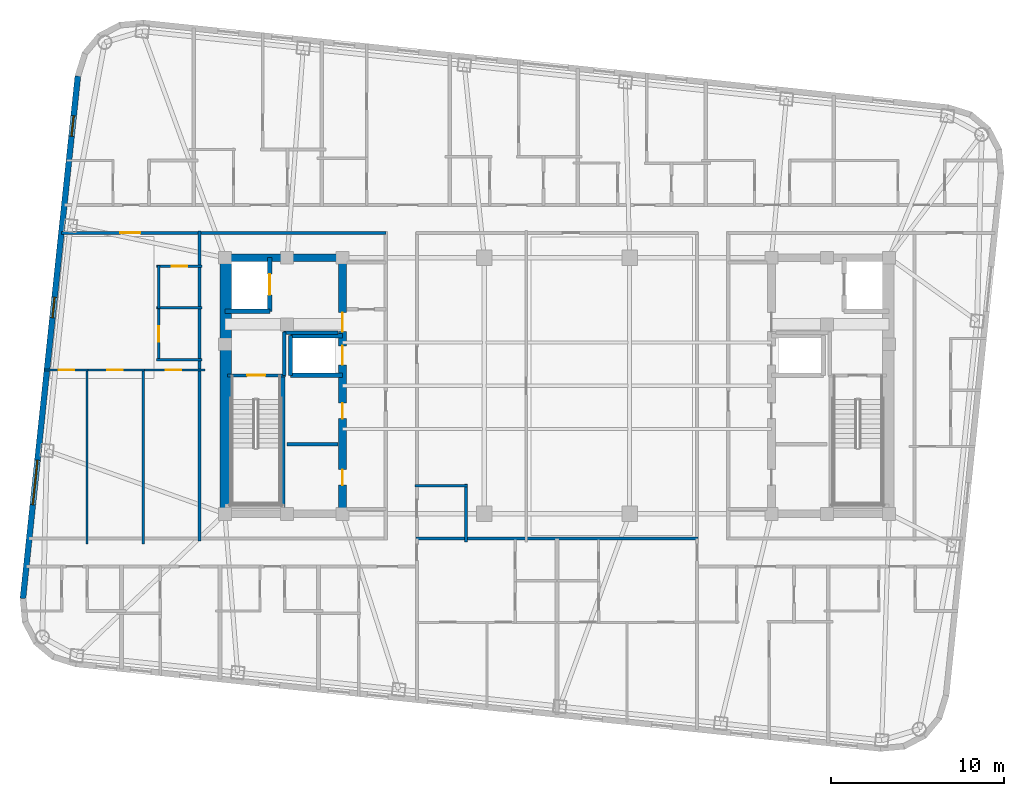
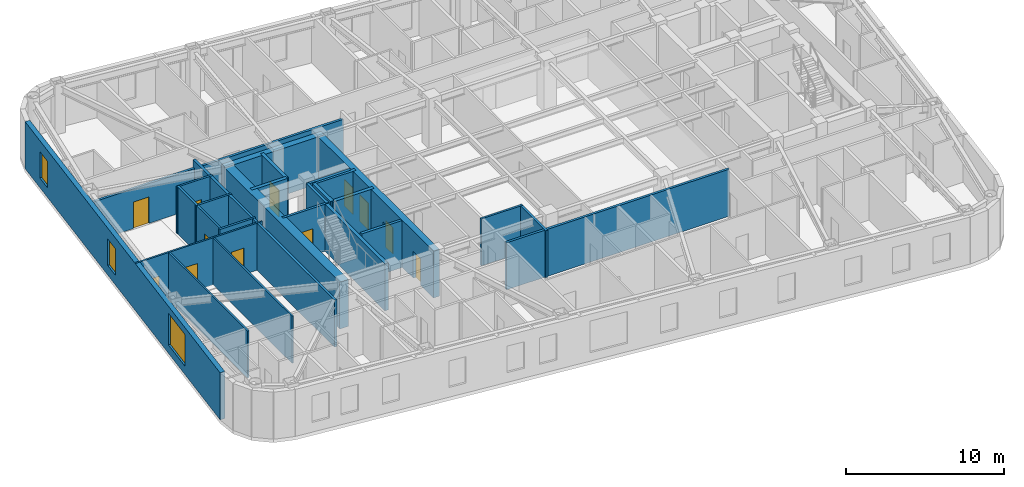
# One storey, part 4 of 11: 29 walls, 12 doors, 3 windows, 15 openings.
"""IFC4 building model written with IfcOpenShell, lengths in metres."""

import ifcopenshell
import ifcopenshell.guid

model = None  # the IFC model being written
_history = None  # IfcOwnerHistory: only IFC2X3 demands one
_inside = {}  # id of a spatial element -> (the spatial element, [elements in it])
_under = {}  # id of a project, library or spatial element -> (it, [spatial elements below it])
_declared = {}  # id of a project -> (the project, [libraries it declares])
_typed = {}  # id of a type object -> (the type object, [elements of that type])
_made_of = {}  # id of a material, layer set ... -> (it, [elements and type objects made of it])


def new_model(schema):
    """Start an empty IFC model of exactly this schema.

    Asked for "IFC4X3", IfcOpenShell would pick the latest addendum, in which some entities
    have other attributes; the version numbers below select the first issue.
    IFC2X3 requires an IfcOwnerHistory on every rooted entity: one is made here for all.
    """
    global model, _history
    if schema == "IFC4X3":
        model = ifcopenshell.file(schema_version=(4, 3, 0, 0))
    else:
        model = ifcopenshell.file(schema=schema)
    _inside.clear()
    _under.clear()
    _declared.clear()
    _typed.clear()
    _made_of.clear()
    _history = None
    if model.schema == "IFC2X3":
        org = make("IfcOrganization", Name="unknown")
        user = make(
            "IfcPersonAndOrganization",
            ThePerson=make("IfcPerson", FamilyName="unknown"),
            TheOrganization=org,
        )
        app = make(
            "IfcApplication",
            ApplicationDeveloper=org,
            Version="unknown",
            ApplicationFullName="unknown",
            ApplicationIdentifier="unknown",
        )
        _history = make(
            "IfcOwnerHistory",
            OwningUser=user,
            OwningApplication=app,
            ChangeAction="ADDED",
            CreationDate=0,
        )
    return model


def make(cls, **values):
    """One entity of the class cls with the attributes given. An attribute that is None is left unset."""
    return model.create_entity(
        cls, **{name: value for name, value in values.items() if value is not None}
    )


def rooted(cls, **values):
    """An entity with a GlobalId (a new one), such as an element, a storey or a relation."""
    return make(cls, GlobalId=ifcopenshell.guid.new(), OwnerHistory=_history, **values)


def si_unit(unit_type, name, prefix=None):
    """IfcSIUnit, for example si_unit("LENGTHUNIT", "METRE", prefix="MILLI")."""
    return make("IfcSIUnit", UnitType=unit_type, Prefix=prefix, Name=name)


def assignment(units):
    """IfcUnitAssignment: the units of a project."""
    return None if units is None else make("IfcUnitAssignment", Units=units)


def point(xyz):
    """IfcCartesianPoint."""
    return None if xyz is None else make("IfcCartesianPoint", Coordinates=xyz)


def direction(xyz):
    """IfcDirection."""
    return None if xyz is None else make("IfcDirection", DirectionRatios=xyz)


def frame(location, z_axis=None, x_axis=None):
    """IfcAxis2Placement3D, a coordinate frame: its origin and axes. An axis left out is left unset."""
    return make(
        "IfcAxis2Placement3D",
        Location=point(location),
        Axis=direction(z_axis),
        RefDirection=direction(x_axis),
    )


def frame_2d(location, x_axis=None):
    """IfcAxis2Placement2D, a coordinate frame in the plane: its origin and x axis."""
    return make(
        "IfcAxis2Placement2D", Location=point(location), RefDirection=direction(x_axis)
    )


def origin():
    """The frame at (0, 0, 0) with its axes left unset."""
    return frame((0.0, 0.0, 0.0))


def place(relative_to, where):
    """IfcLocalPlacement: puts the frame where relative to a parent placement (None: the world)."""
    return make(
        "IfcLocalPlacement", PlacementRelTo=relative_to, RelativePlacement=where
    )


def context(
    kind, dimensions, precision=None, world=None, true_north=None, identifier=None
):
    """IfcGeometricRepresentationContext, for example the 3D "Model" context."""
    return make(
        "IfcGeometricRepresentationContext",
        ContextIdentifier=identifier,
        ContextType=kind,
        CoordinateSpaceDimension=dimensions,
        Precision=precision,
        WorldCoordinateSystem=world,
        TrueNorth=true_north,
    )


def subcontext(parent, identifier, kind, view, scale=None):
    """IfcGeometricRepresentationSubContext, for example "Body" below "Model"."""
    return make(
        "IfcGeometricRepresentationSubContext",
        ContextIdentifier=identifier,
        ContextType=kind,
        ParentContext=parent,
        TargetScale=scale,
        TargetView=view,
    )


def project(units=None, contexts=None):
    """IfcProject with its units and contexts."""
    return rooted(
        "IfcProject",
        Name="project",
        RepresentationContexts=contexts,
        UnitsInContext=assignment(units),
    )


def spatial(cls, under=None, at=None, **own):
    """A site, building, storey or space (cls), placed at a placement, below another one or the project."""
    s = rooted(cls, ObjectPlacement=at, **own)
    if under is not None:
        _under.setdefault(under.id(), (under, []))[1].append(s)
    return s


def profile(cls, at=None, kind="AREA", **sizes):
    """A parametric profile (cls). Its sizes go by their IFC names, for example OverallWidth=200.0."""
    return make(cls, ProfileType=kind, Position=at, **sizes)


def rectangle(**sizes):
    """IfcRectangleProfileDef."""
    return profile("IfcRectangleProfileDef", **sizes)


def extrude(swept, where, along, depth):
    """IfcExtrudedAreaSolid: the profile swept, set in the frame where, extruded along a direction by depth."""
    return make(
        "IfcExtrudedAreaSolid",
        SweptArea=swept,
        Position=where,
        ExtrudedDirection=direction(along),
        Depth=depth,
    )


def shape(context_of_items, identifier, shape_type, items):
    """IfcShapeRepresentation: the items that make up one representation, for example the "Body"."""
    return make(
        "IfcShapeRepresentation",
        ContextOfItems=context_of_items,
        RepresentationIdentifier=identifier,
        RepresentationType=shape_type,
        Items=items,
    )


def material(Name=None, Category=None):
    """IfcMaterial."""
    return make("IfcMaterial", Name=Name, Category=Category)


def layer(
    of_material, thickness, ventilated=None, Name=None, Category=None, Priority=None
):
    """IfcMaterialLayer: one layer of a wall or slab, of a material (None: an air gap)."""
    return make(
        "IfcMaterialLayer",
        Material=of_material,
        LayerThickness=thickness,
        IsVentilated=ventilated,
        Name=Name,
        Category=Category,
        Priority=Priority,
    )


def layer_set(layers, Name=None):
    """IfcMaterialLayerSet."""
    return make("IfcMaterialLayerSet", MaterialLayers=layers, LayerSetName=Name)


def made_of(thing, what):
    """Note that an element or type object is made of a material, layer set ...; save() writes the relation."""
    if what is not None:
        _made_of.setdefault(what.id(), (what, []))[1].append(thing)
    return thing


def type_object(cls, material=None, **own):
    """A type object (cls), such as IfcWallType, which elements share."""
    return made_of(rooted(cls, **own), material)


def element(
    cls,
    number,
    at=None,
    inside=None,
    cuts=None,
    type_object=None,
    material=None,
    context=None,
    identifier="Body",
    shape_type=None,
    held_by="IfcProductDefinitionShape",
    body=None,
    shapes=None,
    **own,
):
    """One element of the class cls, such as IfcWall. Its Tag is "e" and its number.

    at: its placement. inside: the storey or other place that contains it. cuts: it is an
    opening in that element (IfcRelVoidsElement). A single representation is given by context,
    identifier, shape_type and body (its items); several are given by shapes. held_by: the class
    of the entity that holds the representations. save() writes the other relations.
    """
    e = rooted(cls, Tag="e%d" % number, ObjectPlacement=at, **own)
    if body is not None:
        shapes = [shape(context, identifier, shape_type, body)]
    if shapes is not None:
        e.Representation = make(held_by, Representations=shapes)
    if inside is not None:
        _inside.setdefault(inside.id(), (inside, []))[1].append(e)
    if cuts is not None:
        rooted(
            "IfcRelVoidsElement", RelatingBuildingElement=cuts, RelatedOpeningElement=e
        )
    if type_object is not None:
        _typed.setdefault(type_object.id(), (type_object, []))[1].append(e)
    return made_of(e, material)


def fill(opening, filler):
    """IfcRelFillsElement: the door or window that sits in an opening."""
    return rooted(
        "IfcRelFillsElement",
        RelatingOpeningElement=opening,
        RelatedBuildingElement=filler,
    )


def aggregate(whole, parts):
    """IfcRelAggregates: a whole, such as a stair, and the parts it consists of."""
    return rooted("IfcRelAggregates", RelatingObject=whole, RelatedObjects=parts)


def save(model, path):
    """Write the relations noted so far, then the file.

    IfcRelAggregates (storeys below a building ...), IfcRelContainedInSpatialStructure (elements
    in a storey), IfcRelDefinesByType, IfcRelAssociatesMaterial and IfcRelDeclares: one each for
    every whole, place, type object, material and project.
    """
    for whole, parts in _under.values():
        aggregate(whole, parts)
    for where, things in _inside.values():
        rooted(
            "IfcRelContainedInSpatialStructure",
            RelatedElements=things,
            RelatingStructure=where,
        )
    for kind, things in _typed.values():
        rooted("IfcRelDefinesByType", RelatedObjects=things, RelatingType=kind)
    for what, things in _made_of.values():
        rooted("IfcRelAssociatesMaterial", RelatedObjects=things, RelatingMaterial=what)
    for by, libraries in _declared.values():
        rooted("IfcRelDeclares", RelatingContext=by, RelatedDefinitions=libraries)
    model.write(path)


model = new_model("IFC4")

# Units and contexts
model_context = context("Model", 3, precision=1e-05, world=origin(), true_north=direction((0.0, 1.0)))
body_context = subcontext(model_context, "Body", "Model", "MODEL_VIEW")
ifc_project = project(units=[si_unit("LENGTHUNIT", "METRE"), si_unit("AREAUNIT", "SQUARE_METRE"), si_unit("VOLUMEUNIT", "CUBIC_METRE"), si_unit("PLANEANGLEUNIT", "RADIAN"), si_unit("MASSUNIT", "GRAM", prefix="KILO")], contexts=[model_context])

# Site, building, storey
site_placement = place(None, origin())
site = spatial("IfcSite", under=ifc_project, at=site_placement, CompositionType="ELEMENT")
building_placement = place(site_placement, origin())
building = spatial("IfcBuilding", under=site, at=building_placement, Name="Voryun Gate Residences", CompositionType="ELEMENT")
storey_placement = place(building_placement, frame((0.0, 0.0, 302.89990234375)))
storey = spatial("IfcBuildingStorey", under=building, at=storey_placement, Name="L75", CompositionType="ELEMENT", Elevation=302.89990234375)

# Wall
ifc_material_1 = material(Name="Concrete C50/60", Category="concrete")
ifc_layer_1 = layer(ifc_material_1, 0.449951171875, Name="CW_CORE_450")
ifc_layer_set_1 = layer_set([ifc_layer_1], Name="Concrete C50/60")
wall_type_1 = type_object("IfcWallType", Name="CW_CORE_450", PredefinedType="SHEAR", material=ifc_layer_set_1)
wall_1_placement = place(storey_placement, frame((-19.425048828125, 7.39990234375, 0.0), z_axis=(0.0, 0.0, 1.0), x_axis=(1.0, 0.0, 0.0)))
element("IfcWall", 1, at=wall_1_placement, inside=storey, type_object=wall_type_1, Name="L75 Core shear wall CW-L75-WN", PredefinedType="SHEAR", context=body_context, shape_type="SweptSolid", body=[
    extrude(rectangle(XDim=7.25, YDim=0.449951171875, at=frame_2d((3.625, 0.0))), origin(), (0.0, 0.0, 1.0), 3.635009765625),
])

# Wall, openings, doors
wall_2_placement = place(storey_placement, frame((-12.39990234375, -7.39990234375, 0.0), z_axis=(0.0, 0.0, 1.0), x_axis=(0.0, 1.0, 0.0)))
wall_2 = element("IfcWall", 2, at=wall_2_placement, inside=storey, type_object=wall_type_1, Name="L75 Core shear wall CW-L75-WE", PredefinedType="SHEAR", context=body_context, shape_type="SweptSolid", body=[
    extrude(rectangle(XDim=14.7998046875, YDim=0.449951171875, at=frame_2d((7.39990234375, 0.0))), origin(), (0.0, 0.0, 1.0), 3.635009765625),
])
opening_1_placement = place(wall_2_placement, frame((8.60009765625, 0.0, 0.0)))
opening_1 = element("IfcOpeningElement", 3, at=opening_1_placement, cuts=wall_2, Name="Opening LD2", PredefinedType="OPENING", context=body_context, shape_type="SweptSolid", body=[
    extrude(rectangle(XDim=1.10009765625, YDim=2.050048828125, at=frame_2d((0.550048828125, 1.02490234375))), frame((0.0, 0.235107421875, 0.0), z_axis=(0.0, -1.0, 0.0), x_axis=(1.0, 0.0, 0.0)), (0.0, 0.0, 1.0), 0.469970703125),
])
opening_2_placement = place(wall_2_placement, frame((10.530029296875, 0.0, 0.0)))
opening_2 = element("IfcOpeningElement", 4, at=opening_2_placement, cuts=wall_2, Name="Opening D-FD60-2", PredefinedType="OPENING", context=body_context, shape_type="SweptSolid", body=[
    extrude(rectangle(XDim=1.10009765625, YDim=2.050048828125, at=frame_2d((0.550048828125, 1.02490234375))), frame((0.0, 0.235107421875, 0.0), z_axis=(0.0, -1.0, 0.0), x_axis=(1.0, 0.0, 0.0)), (0.0, 0.0, 1.0), 0.469970703125),
])
opening_3_placement = place(wall_2_placement, frame((1.64990234375, 0.0, 0.0)))
opening_3 = element("IfcOpeningElement", 5, at=opening_3_placement, cuts=wall_2, Name="Opening D-FD60-4", PredefinedType="OPENING", context=body_context, shape_type="SweptSolid", body=[
    extrude(rectangle(XDim=0.89990234375, YDim=2.050048828125, at=frame_2d((0.449951171875, 1.02490234375))), frame((0.0, 0.235107421875, 0.0), z_axis=(0.0, -1.0, 0.0), x_axis=(1.0, 0.0, 0.0)), (0.0, 0.0, 1.0), 0.469970703125),
])
opening_4_placement = place(wall_2_placement, frame((5.5, 0.0, 0.0)))
opening_4 = element("IfcOpeningElement", 6, at=opening_4_placement, cuts=wall_2, Name="Opening D-FD60-4", PredefinedType="OPENING", context=body_context, shape_type="SweptSolid", body=[
    extrude(rectangle(XDim=0.89990234375, YDim=2.050048828125, at=frame_2d((0.449951171875, 1.02490234375))), frame((0.0, 0.235107421875, 0.0), z_axis=(0.0, -1.0, 0.0), x_axis=(1.0, 0.0, 0.0)), (0.0, 0.0, 1.0), 0.469970703125),
])
ifc_material_2 = material(Name="Painted steel fire door", Category="steel")
door_type_1 = type_object("IfcDoorType", Name="DR_FD60_FFLOB_1100", OperationType="NOTDEFINED", PredefinedType="DOOR", material=ifc_material_2)
door_1_placement = place(opening_2_placement, origin())
door_1 = element("IfcDoor", 7, at=door_1_placement, inside=storey, type_object=door_type_1, Name="Door DR-L75-CLOB-W", OperationType="SINGLE_SWING_LEFT", OverallHeight=2.050048828125, OverallWidth=1.10009765625, PredefinedType="DOOR", context=body_context, shape_type="SweptSolid", body=[
    extrude(rectangle(XDim=1.10009765625, YDim=2.050048828125, at=frame_2d((0.550048828125, 1.02490234375))), frame((0.0, 0.02490234375, 0.0), z_axis=(0.0, -1.0, 0.0), x_axis=(1.0, 0.0, 0.0)), (0.0, 0.0, 1.0), 0.050048828125),
])
fill(opening_2, door_1)
ifc_material_3 = material(Name="Painted steel fire door", Category="steel")
door_type_2 = type_object("IfcDoorType", Name="DR_FD60_RISER_900", OperationType="NOTDEFINED", PredefinedType="DOOR", material=ifc_material_3)
door_2_placement = place(opening_3_placement, origin())
door_2 = element("IfcDoor", 8, at=door_2_placement, inside=storey, type_object=door_type_2, Name="Door DR-L75-RECW-HS", OperationType="SINGLE_SWING_LEFT", OverallHeight=2.050048828125, OverallWidth=0.89990234375, PredefinedType="DOOR", context=body_context, shape_type="SweptSolid", body=[
    extrude(rectangle(XDim=0.89990234375, YDim=2.050048828125, at=frame_2d((0.449951171875, 1.02490234375))), frame((0.0, 0.02490234375, 0.0), z_axis=(0.0, -1.0, 0.0), x_axis=(1.0, 0.0, 0.0)), (0.0, 0.0, 1.0), 0.050048828125),
])
fill(opening_3, door_2)
door_3_placement = place(opening_4_placement, origin())
door_3 = element("IfcDoor", 9, at=door_3_placement, inside=storey, type_object=door_type_2, Name="Door DR-L75-RECW-HN", OperationType="SINGLE_SWING_RIGHT", OverallHeight=2.050048828125, OverallWidth=0.89990234375, PredefinedType="DOOR", context=body_context, shape_type="SweptSolid", body=[
    extrude(rectangle(XDim=0.89990234375, YDim=2.050048828125, at=frame_2d((0.449951171875, 1.02490234375))), frame((0.0, 0.02490234375, 0.0), z_axis=(0.0, -1.0, 0.0), x_axis=(1.0, 0.0, 0.0)), (0.0, 0.0, 1.0), 0.050048828125),
])
fill(opening_4, door_3)
ifc_material_4 = material(Name="Anodised aluminium", Category="aluminium")
door_type_3 = type_object("IfcDoorType", Name="DR_LD_PASS_1100", OperationType="NOTDEFINED", PredefinedType="DOOR", material=ifc_material_4)
door_4_placement = place(opening_1_placement, origin())
door_4 = element("IfcDoor", 10, at=door_4_placement, inside=storey, type_object=door_type_3, Name="Lift EL-P7 sliding landing door L75", OperationType="SLIDING_TO_LEFT", OverallHeight=2.050048828125, OverallWidth=1.10009765625, PredefinedType="DOOR", context=body_context, shape_type="SweptSolid", body=[
    extrude(rectangle(XDim=1.10009765625, YDim=2.050048828125, at=frame_2d((0.550048828125, 1.02490234375))), frame((0.0, 0.02490234375, 0.0), z_axis=(0.0, -1.0, 0.0), x_axis=(1.0, 0.0, 0.0)), (0.0, 0.0, 1.0), 0.050048828125),
])
fill(opening_1, door_4)

# Wall
ifc_material_5 = material(Name="Concrete C60/75", Category="concrete")
ifc_layer_2 = layer(ifc_material_5, 0.64990234375, Name="CW_CORE_650")
ifc_layer_set_2 = layer_set([ifc_layer_2], Name="Concrete C60/75")
wall_type_2 = type_object("IfcWallType", Name="CW_CORE_650", PredefinedType="SHEAR", material=ifc_layer_set_2)
wall_3_placement = place(storey_placement, frame((-19.14501953125, -7.39990234375, 0.0), z_axis=(0.0, 0.0, 1.0), x_axis=(0.0, 1.0, 0.0)))
element("IfcWall", 11, at=wall_3_placement, inside=storey, type_object=wall_type_2, Name="L75 Core shear wall CW-L75-WW", PredefinedType="SHEAR", context=body_context, shape_type="SweptSolid", body=[
    extrude(rectangle(XDim=14.7998046875, YDim=0.64990234375, at=frame_2d((7.39990234375, 0.0))), origin(), (0.0, 0.0, 1.0), 3.635009765625),
])

# Wall, opening, door
ifc_material_6 = material(Name="Gypsum acoustic fireboard")
ifc_layer_3 = layer(ifc_material_6, 0.179931640625, Name="W_CORR_RATED_180")
ifc_layer_set_3 = layer_set([ifc_layer_3], Name="Gypsum acoustic fireboard")
wall_type_3 = type_object("IfcWallType", Name="W_CORR_RATED_180", PredefinedType="PARTITIONING", material=ifc_layer_set_3)
wall_4_placement = place(storey_placement, frame((-19.06005859375, 0.60009765625, 0.0), z_axis=(0.0, 0.0, 1.0), x_axis=(1.0, 0.0, 0.0)))
wall_4 = element("IfcWall", 12, at=wall_4_placement, inside=storey, type_object=wall_type_3, Name="Partition wall WP-L75-STV-W", PredefinedType="PARTITIONING", context=body_context, shape_type="SweptSolid", body=[
    extrude(rectangle(XDim=3.360107421875, YDim=0.179931640625, at=frame_2d((1.68017578125, 0.0))), origin(), (0.0, 0.0, 1.0), 3.635009765625),
])
opening_5_placement = place(wall_4_placement, frame((1.155029296875, 0.0, 0.0)))
opening_5 = element("IfcOpeningElement", 13, at=opening_5_placement, cuts=wall_4, Name="Opening D-FD60-1", PredefinedType="OPENING", context=body_context, shape_type="SweptSolid", body=[
    extrude(rectangle(XDim=1.050048828125, YDim=2.050048828125, at=frame_2d((0.52490234375, 1.02490234375))), frame((0.0, 0.099853515625, 0.0), z_axis=(0.0, -1.0, 0.0), x_axis=(1.0, 0.0, 0.0)), (0.0, 0.0, 1.0), 0.199951171875),
])
ifc_material_7 = material(Name="Painted steel fire door", Category="steel")
door_type_4 = type_object("IfcDoorType", Name="DR_FD60_STAIR_1050", OperationType="NOTDEFINED", PredefinedType="DOOR", material=ifc_material_7)
door_5_placement = place(opening_5_placement, origin())
door_5 = element("IfcDoor", 14, at=door_5_placement, inside=storey, type_object=door_type_4, Name="Door DR-L75-ST-W", OperationType="SINGLE_SWING_LEFT", OverallHeight=2.050048828125, OverallWidth=1.050048828125, PredefinedType="DOOR", context=body_context, shape_type="SweptSolid", body=[
    extrude(rectangle(XDim=1.050048828125, YDim=2.050048828125, at=frame_2d((0.52490234375, 1.02490234375))), frame((0.0, 0.02490234375, 0.0), z_axis=(0.0, -1.0, 0.0), x_axis=(1.0, 0.0, 0.0)), (0.0, 0.0, 1.0), 0.050048828125),
])
fill(opening_5, door_5)

wall_5_placement = place(storey_placement, frame((-28.648681640625, 8.840087890625, 0.0), z_axis=(0.0, 0.0, 1.0), x_axis=(1.0, 0.0, 0.0)))
wall_5 = element("IfcWall", 15, at=wall_5_placement, inside=storey, type_object=wall_type_3, Name="Partition wall WP-L75-CWING-WN", PredefinedType="PARTITIONING", context=body_context, shape_type="SweptSolid", body=[
    extrude(rectangle(XDim=18.768798828125, YDim=0.179931640625, at=frame_2d((9.38427734375, 0.0))), origin(), (0.0, 0.0, 1.0), 3.0751953125),
])
opening_6_placement = place(wall_5_placement, frame((3.40966796875, 0.0, 0.0)))
opening_6 = element("IfcOpeningElement", 16, at=opening_6_placement, cuts=wall_5, Name="Opening D-UNIT-1", PredefinedType="OPENING", context=body_context, shape_type="SweptSolid", body=[
    extrude(rectangle(XDim=1.14990234375, YDim=2.050048828125, at=frame_2d((0.574951171875, 1.02490234375))), frame((0.0, 0.099853515625, 0.0), z_axis=(0.0, -1.0, 0.0), x_axis=(1.0, 0.0, 0.0)), (0.0, 0.0, 1.0), 0.199951171875),
])
ifc_material_8 = material(Name="Armoured timber-clad fire door", Category="wood")
door_type_5 = type_object("IfcDoorType", Name="DR_UNIT_ENTRY_1150", OperationType="NOTDEFINED", PredefinedType="DOOR", material=ifc_material_8)
door_6_placement = place(opening_6_placement, origin())
door_6 = element("IfcDoor", 17, at=door_6_placement, inside=storey, type_object=door_type_5, Name="Door DR-L75-WE1N", OperationType="SINGLE_SWING_LEFT", OverallHeight=2.050048828125, OverallWidth=1.14990234375, PredefinedType="DOOR", context=body_context, shape_type="SweptSolid", body=[
    extrude(rectangle(XDim=1.14990234375, YDim=2.050048828125, at=frame_2d((0.574951171875, 1.02490234375))), frame((0.0, 0.02490234375, 0.0), z_axis=(0.0, -1.0, 0.0), x_axis=(1.0, 0.0, 0.0)), (0.0, 0.0, 1.0), 0.050048828125),
])
fill(opening_6, door_6)

# Walls
wall_6_placement = place(storey_placement, frame((-8.14990234375, -8.840087890625, 0.0), z_axis=(0.0, 0.0, 1.0), x_axis=(1.0, 0.0, 0.0)))
element("IfcWall", 18, at=wall_6_placement, inside=storey, type_object=wall_type_3, Name="Partition wall WP-L75-Z3S", PredefinedType="PARTITIONING", context=body_context, shape_type="SweptSolid", body=[
    extrude(rectangle(XDim=16.2998046875, YDim=0.179931640625, at=frame_2d((8.14990234375, 0.0))), origin(), (0.0, 0.0, 1.0), 3.635009765625),
])
wall_7_placement = place(storey_placement, frame((-20.669921875, -8.9599609375, 0.0), z_axis=(0.0, 0.0, 1.0), x_axis=(0.0, 1.0, 0.0)))
element("IfcWall", 19, at=wall_7_placement, inside=storey, type_object=wall_type_3, Name="Partition wall WP-L75-WCOR", PredefinedType="PARTITIONING", context=body_context, shape_type="SweptSolid", body=[
    extrude(rectangle(XDim=17.919921875, YDim=0.179931640625, at=frame_2d((8.9599609375, 0.0))), origin(), (0.0, 0.0, 1.0), 3.635009765625),
])

# Wall, openings, windows
ifc_material_9 = material(Name="Charcoal terracotta masonry", Category="masonry")
ifc_layer_4 = layer(ifc_material_9, 0.340087890625, Name="W_EXT_TERRACOTTA_340")
ifc_layer_set_4 = layer_set([ifc_layer_4], Name="Charcoal terracotta masonry")
wall_type_4 = type_object("IfcWallType", Name="W_EXT_TERRACOTTA_340", PredefinedType="ELEMENTEDWALL", material=ifc_layer_set_4)
wall_8_placement = place(storey_placement, frame((-30.8701171875, -12.295654296875, 0.0), z_axis=(0.0, 0.0, 1.0), x_axis=(0.104533282919, 0.994521388791, 0.0)))
wall_8 = element("IfcWall", 20, at=wall_8_placement, inside=storey, type_object=wall_type_4, Name="Exterior wall WEXT-L75-06", PredefinedType="ELEMENTEDWALL", context=body_context, shape_type="SweptSolid", body=[
    extrude(rectangle(XDim=30.366455078125, YDim=0.340087890625, at=frame_2d((15.18310546875, 0.0))), origin(), (0.0, 0.0, 1.0), 3.635009765625),
])
opening_7_placement = place(wall_8_placement, frame((5.441650390625, 0.0, 0.64990234375)))
opening_7 = element("IfcOpeningElement", 21, at=opening_7_placement, cuts=wall_8, Name="Opening WN4", PredefinedType="OPENING", context=body_context, shape_type="SweptSolid", body=[
    extrude(rectangle(XDim=2.60009765625, YDim=2.449951171875, at=frame_2d((1.300048828125, 1.22509765625))), frame((0.0, 0.179931640625, 0.0), z_axis=(0.0, -1.0, 0.0), x_axis=(1.0, 0.0, 0.0)), (0.0, 0.0, 1.0), 0.360107421875),
])
opening_8_placement = place(wall_8_placement, frame((26.860595703125, 0.0, 0.75)))
opening_8 = element("IfcOpeningElement", 22, at=opening_8_placement, cuts=wall_8, Name="Opening WN6", PredefinedType="OPENING", context=body_context, shape_type="SweptSolid", body=[
    extrude(rectangle(XDim=1.199951171875, YDim=2.050048828125, at=frame_2d((0.60009765625, 1.02490234375))), frame((0.0, 0.179931640625, 0.0), z_axis=(0.0, -1.0, 0.0), x_axis=(1.0, 0.0, 0.0)), (0.0, 0.0, 1.0), 0.360107421875),
])
opening_9_placement = place(wall_8_placement, frame((16.310546875, 0.0, 0.75)))
opening_9 = element("IfcOpeningElement", 23, at=opening_9_placement, cuts=wall_8, Name="Opening WN6", PredefinedType="OPENING", context=body_context, shape_type="SweptSolid", body=[
    extrude(rectangle(XDim=1.199951171875, YDim=2.050048828125, at=frame_2d((0.60009765625, 1.02490234375))), frame((0.0, 0.179931640625, 0.0), z_axis=(0.0, -1.0, 0.0), x_axis=(1.0, 0.0, 0.0)), (0.0, 0.0, 1.0), 0.360107421875),
])
ifc_material_10 = material(Name="Laminated low-E glass", Category="glass")
window_type_1 = type_object("IfcWindowType", Name="WN_PENT_TALL_2600", PartitioningType="SINGLE_PANEL", PredefinedType="WINDOW", material=ifc_material_10)
window_1_placement = place(opening_7_placement, origin())
window_1 = element("IfcWindow", 24, at=window_1_placement, inside=storey, type_object=window_type_1, Name="Window WN-WEXT-L75-06-01", OverallHeight=2.449951171875, OverallWidth=2.60009765625, PartitioningType="SINGLE_PANEL", PredefinedType="WINDOW", context=body_context, shape_type="SweptSolid", body=[
    extrude(rectangle(XDim=2.60009765625, YDim=2.449951171875, at=frame_2d((1.300048828125, 1.22509765625))), frame((0.0, 0.030029296875, 0.0), z_axis=(0.0, -1.0, 0.0), x_axis=(1.0, 0.0, 0.0)), (0.0, 0.0, 1.0), 0.06005859375),
])
fill(opening_7, window_1)
ifc_material_11 = material(Name="Laminated low-E glass", Category="glass")
window_type_2 = type_object("IfcWindowType", Name="WN_POD_SLOT_1200", PartitioningType="SINGLE_PANEL", PredefinedType="WINDOW", material=ifc_material_11)
window_2_placement = place(opening_8_placement, origin())
window_2 = element("IfcWindow", 25, at=window_2_placement, inside=storey, type_object=window_type_2, Name="Window WN-L75-DWFIX-01", OverallHeight=2.050048828125, OverallWidth=1.199951171875, PartitioningType="SINGLE_PANEL", PredefinedType="WINDOW", context=body_context, shape_type="SweptSolid", body=[
    extrude(rectangle(XDim=1.199951171875, YDim=2.050048828125, at=frame_2d((0.60009765625, 1.02490234375))), frame((0.0, 0.030029296875, 0.0), z_axis=(0.0, -1.0, 0.0), x_axis=(1.0, 0.0, 0.0)), (0.0, 0.0, 1.0), 0.06005859375),
])
fill(opening_8, window_2)
window_3_placement = place(opening_9_placement, origin())
window_3 = element("IfcWindow", 26, at=window_3_placement, inside=storey, type_object=window_type_2, Name="Window WN-L75-DWFIX-23", OverallHeight=2.050048828125, OverallWidth=1.199951171875, PartitioningType="SINGLE_PANEL", PredefinedType="WINDOW", context=body_context, shape_type="SweptSolid", body=[
    extrude(rectangle(XDim=1.199951171875, YDim=2.050048828125, at=frame_2d((0.60009765625, 1.02490234375))), frame((0.0, 0.030029296875, 0.0), z_axis=(0.0, -1.0, 0.0), x_axis=(1.0, 0.0, 0.0)), (0.0, 0.0, 1.0), 0.06005859375),
])
fill(opening_9, window_3)

# Walls
ifc_material_12 = material(Name="Concrete C40/50", Category="concrete")
ifc_layer_5 = layer(ifc_material_12, 0.199951171875, Name="W_FF_LOBBY_200")
ifc_layer_set_5 = layer_set([ifc_layer_5], Name="Concrete C40/50")
wall_type_5 = type_object("IfcWallType", Name="W_FF_LOBBY_200", PredefinedType="PARTITIONING", material=ifc_layer_set_5)
wall_9_placement = place(storey_placement, frame((-15.760009765625, 0.580078125, 0.0), z_axis=(0.0, 0.0, 1.0), x_axis=(0.0, 1.0, 0.0)))
element("IfcWall", 27, at=wall_9_placement, inside=storey, type_object=wall_type_5, Name="Partition wall WP-L75-FFP0-W", PredefinedType="PARTITIONING", context=body_context, shape_type="SweptSolid", body=[
    extrude(rectangle(XDim=2.52001953125, YDim=0.199951171875, at=frame_2d((1.260009765625, 0.0))), origin(), (0.0, 0.0, 1.0), 3.635009765625),
])
wall_10_placement = place(storey_placement, frame((-15.820068359375, 3.06005859375, 0.0), z_axis=(0.0, 0.0, 1.0), x_axis=(1.0, 0.0, 0.0)))
element("IfcWall", 28, at=wall_10_placement, inside=storey, type_object=wall_type_5, Name="Partition wall WP-L75-FFPS-W", PredefinedType="PARTITIONING", context=body_context, shape_type="SweptSolid", body=[
    extrude(rectangle(XDim=3.16015625, YDim=0.199951171875, at=frame_2d((1.580078125, 0.0))), origin(), (0.0, 0.0, 1.0), 3.635009765625),
])
wall_11_placement = place(storey_placement, frame((-15.60009765625, -3.389892578125, 0.0), z_axis=(0.0, 0.0, 1.0), x_axis=(1.0, 0.0, 0.0)))
element("IfcWall", 29, at=wall_11_placement, inside=storey, type_object=wall_type_5, Name="Partition wall WP-L75-RECEY-W", PredefinedType="PARTITIONING", context=body_context, shape_type="SweptSolid", body=[
    extrude(rectangle(XDim=2.940185546875, YDim=0.199951171875, at=frame_2d((1.47021484375, 0.0))), origin(), (0.0, 0.0, 1.0), 3.635009765625),
])
ifc_material_13 = material(Name="Concrete C50/60", Category="concrete")
ifc_layer_6 = layer(ifc_material_13, 0.25, Name="W_SHAFT_RC250")
ifc_layer_set_6 = layer_set([ifc_layer_6], Name="Concrete C50/60")
wall_type_6 = type_object("IfcWallType", Name="W_SHAFT_RC250", PredefinedType="SOLIDWALL", material=ifc_layer_set_6)
wall_12_placement = place(storey_placement, frame((-15.860107421875, -7.0849609375, 0.0), z_axis=(0.0, 0.0, 1.0), x_axis=(0.0, 1.0, 0.0)))
element("IfcWall", 30, at=wall_12_placement, inside=storey, type_object=wall_type_6, Name="L75 Stair shaft structural wall W-STR", PredefinedType="SOLIDWALL", context=body_context, shape_type="SweptSolid", body=[
    extrude(rectangle(XDim=7.68505859375, YDim=0.25, at=frame_2d((3.842529296875, 0.0))), origin(), (0.0, 0.0, 1.0), 3.635009765625),
])
wall_13_placement = place(storey_placement, frame((-19.199951171875, 4.300048828125, 0.0), z_axis=(0.0, 0.0, 1.0), x_axis=(1.0, 0.0, 0.0)))
element("IfcWall", 31, at=wall_13_placement, inside=storey, type_object=wall_type_6, Name="Lift shaft wall WSH-L75-EL-FF-W1-S", PredefinedType="SOLIDWALL", context=body_context, shape_type="SweptSolid", body=[
    extrude(rectangle(XDim=2.599853515625, YDim=0.25, at=frame_2d((1.2998046875, 0.0))), origin(), (0.0, 0.0, 1.0), 3.635009765625),
])

# Wall, opening, door
wall_14_placement = place(storey_placement, frame((-16.60009765625, 4.300048828125, 0.0), z_axis=(0.0, 0.0, 1.0), x_axis=(0.0, 1.0, 0.0)))
wall_14 = element("IfcWall", 32, at=wall_14_placement, inside=storey, type_object=wall_type_6, Name="Lift shaft wall WSH-L75-EL-FF-W1-E", PredefinedType="SOLIDWALL", context=body_context, shape_type="SweptSolid", body=[
    extrude(rectangle(XDim=3.099853515625, YDim=0.25, at=frame_2d((1.5498046875, 0.0))), origin(), (0.0, 0.0, 1.0), 3.635009765625),
])
opening_10_placement = place(wall_14_placement, frame((0.949951171875, 0.0, 0.0)))
opening_10 = element("IfcOpeningElement", 33, at=opening_10_placement, cuts=wall_14, Name="Opening LD1", PredefinedType="OPENING", context=body_context, shape_type="SweptSolid", body=[
    extrude(rectangle(XDim=1.199951171875, YDim=2.050048828125, at=frame_2d((0.60009765625, 1.02490234375))), frame((0.0, 0.135009765625, 0.0), z_axis=(0.0, -1.0, 0.0), x_axis=(1.0, 0.0, 0.0)), (0.0, 0.0, 1.0), 0.27001953125),
])
ifc_material_14 = material(Name="Anodised aluminium", Category="aluminium")
door_type_6 = type_object("IfcDoorType", Name="DR_LD_FF_1200", OperationType="NOTDEFINED", PredefinedType="DOOR", material=ifc_material_14)
door_7_placement = place(opening_10_placement, origin())
door_7 = element("IfcDoor", 34, at=door_7_placement, inside=storey, type_object=door_type_6, Name="Lift EL-FF-W1 sliding landing door L75", OperationType="SLIDING_TO_LEFT", OverallHeight=2.050048828125, OverallWidth=1.199951171875, PredefinedType="DOOR", context=body_context, shape_type="SweptSolid", body=[
    extrude(rectangle(XDim=1.199951171875, YDim=2.050048828125, at=frame_2d((0.60009765625, 1.02490234375))), frame((0.0, 0.02490234375, 0.0), z_axis=(0.0, -1.0, 0.0), x_axis=(1.0, 0.0, 0.0)), (0.0, 0.0, 1.0), 0.050048828125),
])
fill(opening_10, door_7)

# Walls
for number, where, z_axis, x_axis, name in (
    (35, (-15.39990234375, 0.60009765625, 0.0), (0.0, 0.0, 1.0), (1.0, 0.0, 0.0), "Lift shaft wall WSH-L75-EL-P7-S"),
    (36, (-12.39990234375, 2.89990234375, 0.0), (0.0, 0.0, 1.0), (-1.0, 0.0, 0.0), "Lift shaft wall WSH-L75-EL-P7-N"),
):
    element("IfcWall", number, at=place(storey_placement, frame(where, z_axis=z_axis, x_axis=x_axis)), inside=storey, type_object=wall_type_6, Name=name, PredefinedType="SOLIDWALL", context=body_context, shape_type="SweptSolid", body=[
        extrude(rectangle(XDim=3.0, YDim=0.25, at=frame_2d((1.5, 0.0))), origin(), (0.0, 0.0, 1.0), 3.635009765625),
    ])
wall_15_placement = place(storey_placement, frame((-15.39990234375, 2.89990234375, 0.0), z_axis=(0.0, 0.0, 1.0), x_axis=(0.0, -1.0, 0.0)))
element("IfcWall", 37, at=wall_15_placement, inside=storey, type_object=wall_type_6, Name="Lift shaft wall WSH-L75-EL-P7-W", PredefinedType="SOLIDWALL", context=body_context, shape_type="SweptSolid", body=[
    extrude(rectangle(XDim=2.2998046875, YDim=0.25, at=frame_2d((1.14990234375, 0.0))), origin(), (0.0, 0.0, 1.0), 3.635009765625),
])

# Wall, opening, door
ifc_material_15 = material(Name="Gypsum acoustic partition")
ifc_layer_7 = layer(ifc_material_15, 0.125, Name="W_UNIT_PART_125")
ifc_layer_set_7 = layer_set([ifc_layer_7], Name="Gypsum acoustic partition")
wall_type_7 = type_object("IfcWallType", Name="W_UNIT_PART_125", PredefinedType="PARTITIONING", material=ifc_layer_set_7)
wall_16_placement = place(storey_placement, frame((-29.633056640625, 0.909912109375, 0.0), z_axis=(0.0, 0.0, 1.0), x_axis=(1.0, 0.0, 0.0)))
wall_16 = element("IfcWall", 38, at=wall_16_placement, inside=storey, type_object=wall_type_7, Name="Partition wall WP-L75-W1-HZMB1", PredefinedType="PARTITIONING", context=body_context, shape_type="SweptSolid", body=[
    extrude(rectangle(XDim=2.528564453125, YDim=0.125, at=frame_2d((1.26416015625, 0.0))), origin(), (0.0, 0.0, 1.0), 3.635009765625),
])
opening_11_placement = place(wall_16_placement, frame((0.822998046875, 0.0, 0.0)))
opening_11 = element("IfcOpeningElement", 39, at=opening_11_placement, cuts=wall_16, Name="Opening D-INT-2", PredefinedType="OPENING", context=body_context, shape_type="SweptSolid", body=[
    extrude(rectangle(XDim=0.89990234375, YDim=2.050048828125, at=frame_2d((0.449951171875, 1.02490234375))), frame((0.0, 0.072509765625, 0.0), z_axis=(0.0, -1.0, 0.0), x_axis=(1.0, 0.0, 0.0)), (0.0, 0.0, 1.0), 0.14501953125),
])
ifc_material_16 = material(Name="Architectural oak veneer")
door_type_7 = type_object("IfcDoorType", Name="DR_INT_BATH_900", OperationType="NOTDEFINED", PredefinedType="DOOR", material=ifc_material_16)
door_8_placement = place(opening_11_placement, origin())
door_8 = element("IfcDoor", 40, at=door_8_placement, inside=storey, type_object=door_type_7, Name="Door DR-L75-W1-DMB", OperationType="SINGLE_SWING_LEFT", OverallHeight=2.050048828125, OverallWidth=0.89990234375, PredefinedType="DOOR", context=body_context, shape_type="SweptSolid", body=[
    extrude(rectangle(XDim=0.89990234375, YDim=2.050048828125, at=frame_2d((0.449951171875, 1.02490234375))), frame((0.0, 0.02490234375, 0.0), z_axis=(0.0, -1.0, 0.0), x_axis=(1.0, 0.0, 0.0)), (0.0, 0.0, 1.0), 0.050048828125),
])
fill(opening_11, door_8)

wall_17_placement = place(storey_placement, frame((-27.2294921875, 0.909912109375, 0.0), z_axis=(0.0, 0.0, 1.0), x_axis=(1.0, 0.0, 0.0)))
wall_17 = element("IfcWall", 41, at=wall_17_placement, inside=storey, type_object=wall_type_7, Name="Partition wall WP-L75-W1-HZMB2", PredefinedType="PARTITIONING", context=body_context, shape_type="SweptSolid", body=[
    extrude(rectangle(XDim=3.3740234375, YDim=0.125, at=frame_2d((1.68701171875, 0.0))), origin(), (0.0, 0.0, 1.0), 3.635009765625),
])
opening_12_placement = place(wall_17_placement, frame((1.237060546875, 0.0, 0.0)))
opening_12 = element("IfcOpeningElement", 42, at=opening_12_placement, cuts=wall_17, Name="Opening D-INT-2", PredefinedType="OPENING", context=body_context, shape_type="SweptSolid", body=[
    extrude(rectangle(XDim=0.89990234375, YDim=2.050048828125, at=frame_2d((0.449951171875, 1.02490234375))), frame((0.0, 0.072509765625, 0.0), z_axis=(0.0, -1.0, 0.0), x_axis=(1.0, 0.0, 0.0)), (0.0, 0.0, 1.0), 0.14501953125),
])
door_9_placement = place(opening_12_placement, origin())
door_9 = element("IfcDoor", 43, at=door_9_placement, inside=storey, type_object=door_type_7, Name="Door DR-L75-W1-DBD2", OperationType="SINGLE_SWING_RIGHT", OverallHeight=2.050048828125, OverallWidth=0.89990234375, PredefinedType="DOOR", context=body_context, shape_type="SweptSolid", body=[
    extrude(rectangle(XDim=0.89990234375, YDim=2.050048828125, at=frame_2d((0.449951171875, 1.02490234375))), frame((0.0, 0.02490234375, 0.0), z_axis=(0.0, -1.0, 0.0), x_axis=(1.0, 0.0, 0.0)), (0.0, 0.0, 1.0), 0.050048828125),
])
fill(opening_12, door_9)

wall_18_placement = place(storey_placement, frame((-23.98046875, 0.909912109375, 0.0), z_axis=(0.0, 0.0, 1.0), x_axis=(1.0, 0.0, 0.0)))
wall_18 = element("IfcWall", 44, at=wall_18_placement, inside=storey, type_object=wall_type_7, Name="Partition wall WP-L75-W1-HZMB3", PredefinedType="PARTITIONING", context=body_context, shape_type="SweptSolid", body=[
    extrude(rectangle(XDim=3.63037109375, YDim=0.125, at=frame_2d((1.815185546875, 0.0))), origin(), (0.0, 0.0, 1.0), 3.635009765625),
])
opening_13_placement = place(wall_18_placement, frame((1.3564453125, 0.0, 0.0)))
opening_13 = element("IfcOpeningElement", 45, at=opening_13_placement, cuts=wall_18, Name="Opening D-INT-2", PredefinedType="OPENING", context=body_context, shape_type="SweptSolid", body=[
    extrude(rectangle(XDim=0.89990234375, YDim=2.050048828125, at=frame_2d((0.449951171875, 1.02490234375))), frame((0.0, 0.072509765625, 0.0), z_axis=(0.0, -1.0, 0.0), x_axis=(1.0, 0.0, 0.0)), (0.0, 0.0, 1.0), 0.14501953125),
])
door_10_placement = place(opening_13_placement, origin())
door_10 = element("IfcDoor", 46, at=door_10_placement, inside=storey, type_object=door_type_7, Name="Door DR-L75-W1-DBD3", OperationType="SINGLE_SWING_LEFT", OverallHeight=2.050048828125, OverallWidth=0.89990234375, PredefinedType="DOOR", context=body_context, shape_type="SweptSolid", body=[
    extrude(rectangle(XDim=0.89990234375, YDim=2.050048828125, at=frame_2d((0.449951171875, 1.02490234375))), frame((0.0, 0.02490234375, 0.0), z_axis=(0.0, -1.0, 0.0), x_axis=(1.0, 0.0, 0.0)), (0.0, 0.0, 1.0), 0.050048828125),
])
fill(opening_13, door_10)

# Walls
for number, where, z_axis, x_axis, name in (
    (47, (-23.91796875, -9.159912109375, 0.0), (0.0, 0.0, 1.0), (0.0, 1.0, 0.0), "Partition wall WP-L75-W1-VMB2"),
    (48, (-27.1669921875, -9.159912109375, 0.0), (0.0, 0.0, 1.0), (0.0, 1.0, 0.0), "Partition wall WP-L75-W1-VMB"),
):
    element("IfcWall", number, at=place(storey_placement, frame(where, z_axis=z_axis, x_axis=x_axis)), inside=storey, type_object=wall_type_7, Name=name, PredefinedType="PARTITIONING", context=body_context, shape_type="SweptSolid", body=[
        extrude(rectangle(XDim=10.1298828125, YDim=0.125, at=frame_2d((5.06494140625, 0.0))), origin(), (0.0, 0.0, 1.0), 3.635009765625),
    ])
ifc_material_17 = material(Name="Gypsum moisture-resistant partition")
ifc_layer_8 = layer(ifc_material_17, 0.14990234375, Name="W_WET_PLUMB_150")
ifc_layer_set_8 = layer_set([ifc_layer_8], Name="Gypsum moisture-resistant partition")
wall_type_8 = type_object("IfcWallType", Name="W_WET_PLUMB_150", PredefinedType="PLUMBINGWALL", material=ifc_layer_set_8)
wall_19_placement = place(storey_placement, frame((-5.260009765625, -9.02001953125, 0.0), z_axis=(0.0, 0.0, 1.0), x_axis=(0.0, 1.0, 0.0)))
element("IfcWall", 49, at=wall_19_placement, inside=storey, type_object=wall_type_8, Name="Partition wall WP-L75-CMWCX", PredefinedType="PLUMBINGWALL", context=body_context, shape_type="SweptSolid", body=[
    extrude(rectangle(XDim=3.35009765625, YDim=0.14990234375, at=frame_2d((1.675048828125, 0.0))), origin(), (0.0, 0.0, 1.0), 3.635009765625),
])
wall_20_placement = place(storey_placement, frame((-8.2099609375, -5.77001953125, 0.0), z_axis=(0.0, 0.0, 1.0), x_axis=(1.0, 0.0, 0.0)))
element("IfcWall", 50, at=wall_20_placement, inside=storey, type_object=wall_type_8, Name="Partition wall WP-L75-CMWCY", PredefinedType="PLUMBINGWALL", context=body_context, shape_type="SweptSolid", body=[
    extrude(rectangle(XDim=3.050048828125, YDim=0.14990234375, at=frame_2d((1.52490234375, 0.0))), origin(), (0.0, 0.0, 1.0), 3.635009765625),
])

# Wall, opening, door
wall_21_placement = place(storey_placement, frame((-23.139892578125, 6.89990234375, 0.0), z_axis=(0.0, 0.0, 1.0), x_axis=(1.0, 0.0, 0.0)))
wall_21 = element("IfcWall", 51, at=wall_21_placement, inside=storey, type_object=wall_type_8, Name="Partition wall WP-L75-W1-IBT", PredefinedType="PLUMBINGWALL", context=body_context, shape_type="SweptSolid", body=[
    extrude(rectangle(XDim=2.619873046875, YDim=0.14990234375, at=frame_2d((1.31005859375, 0.0))), origin(), (0.0, 0.0, 1.0), 3.635009765625),
])
opening_14_placement = place(wall_21_placement, frame((0.860107421875, 0.0, 0.0)))
opening_14 = element("IfcOpeningElement", 52, at=opening_14_placement, cuts=wall_21, Name="Opening D-INT-2", PredefinedType="OPENING", context=body_context, shape_type="SweptSolid", body=[
    extrude(rectangle(XDim=0.89990234375, YDim=2.050048828125, at=frame_2d((0.449951171875, 1.02490234375))), frame((0.0, 0.0849609375, 0.0), z_axis=(0.0, -1.0, 0.0), x_axis=(1.0, 0.0, 0.0)), (0.0, 0.0, 1.0), 0.169921875),
])
door_11_placement = place(opening_14_placement, origin())
door_11 = element("IfcDoor", 53, at=door_11_placement, inside=storey, type_object=door_type_7, Name="Door DR-L75-W1-DK", OperationType="SINGLE_SWING_LEFT", OverallHeight=2.050048828125, OverallWidth=0.89990234375, PredefinedType="DOOR", context=body_context, shape_type="SweptSolid", body=[
    extrude(rectangle(XDim=0.89990234375, YDim=2.050048828125, at=frame_2d((0.449951171875, 1.02490234375))), frame((0.0, 0.02490234375, 0.0), z_axis=(0.0, -1.0, 0.0), x_axis=(1.0, 0.0, 0.0)), (0.0, 0.0, 1.0), 0.050048828125),
])
fill(opening_14, door_11)

# Walls
for number, where, z_axis, x_axis, name in (
    (54, (-23.139892578125, 4.52001953125, 0.0), (0.0, 0.0, 1.0), (1.0, 0.0, 0.0), "Partition wall WP-L75-W1-IKB"),
    (55, (-23.139892578125, 1.5, 0.0), (0.0, 0.0, 1.0), (1.0, 0.0, 0.0), "Partition wall WP-L75-W1-IBB"),
):
    element("IfcWall", number, at=place(storey_placement, frame(where, z_axis=z_axis, x_axis=x_axis)), inside=storey, type_object=wall_type_8, Name=name, PredefinedType="PLUMBINGWALL", context=body_context, shape_type="SweptSolid", body=[
        extrude(rectangle(XDim=2.619873046875, YDim=0.14990234375, at=frame_2d((1.31005859375, 0.0))), origin(), (0.0, 0.0, 1.0), 3.635009765625),
    ])

# Wall, opening, door
wall_22_placement = place(storey_placement, frame((-23.02001953125, 1.43994140625, 0.0), z_axis=(0.0, 0.0, 1.0), x_axis=(0.0, 1.0, 0.0)))
wall_22 = element("IfcWall", 56, at=wall_22_placement, inside=storey, type_object=wall_type_8, Name="Partition wall WP-L75-W1-VTSK1", PredefinedType="PLUMBINGWALL", context=body_context, shape_type="SweptSolid", body=[
    extrude(rectangle(XDim=3.1201171875, YDim=0.14990234375, at=frame_2d((1.56005859375, 0.0))), origin(), (0.0, 0.0, 1.0), 3.635009765625),
])
opening_15_placement = place(wall_22_placement, frame((1.110107421875, 0.0, 0.0)))
opening_15 = element("IfcOpeningElement", 57, at=opening_15_placement, cuts=wall_22, Name="Opening D-INT-2", PredefinedType="OPENING", context=body_context, shape_type="SweptSolid", body=[
    extrude(rectangle(XDim=0.89990234375, YDim=2.050048828125, at=frame_2d((0.449951171875, 1.02490234375))), frame((0.0, 0.0849609375, 0.0), z_axis=(0.0, -1.0, 0.0), x_axis=(1.0, 0.0, 0.0)), (0.0, 0.0, 1.0), 0.169921875),
])
door_12_placement = place(opening_15_placement, origin())
door_12 = element("IfcDoor", 58, at=door_12_placement, inside=storey, type_object=door_type_7, Name="Door DR-L75-W1-DB", OperationType="SINGLE_SWING_RIGHT", OverallHeight=2.050048828125, OverallWidth=0.89990234375, PredefinedType="DOOR", context=body_context, shape_type="SweptSolid", body=[
    extrude(rectangle(XDim=0.89990234375, YDim=2.050048828125, at=frame_2d((0.449951171875, 1.02490234375))), frame((0.0, 0.02490234375, 0.0), z_axis=(0.0, -1.0, 0.0), x_axis=(1.0, 0.0, 0.0)), (0.0, 0.0, 1.0), 0.050048828125),
])
fill(opening_15, door_12)

# Wall
wall_23_placement = place(storey_placement, frame((-23.02001953125, 4.47998046875, 0.0), z_axis=(0.0, 0.0, 1.0), x_axis=(0.0, 1.0, 0.0)))
element("IfcWall", 59, at=wall_23_placement, inside=storey, type_object=wall_type_8, Name="Partition wall WP-L75-W1-VTSK2", PredefinedType="PLUMBINGWALL", context=body_context, shape_type="SweptSolid", body=[
    extrude(rectangle(XDim=2.47998046875, YDim=0.14990234375, at=frame_2d((1.239990234375, 0.0))), origin(), (0.0, 0.0, 1.0), 3.635009765625),
])

save(model, "model.ifc")
